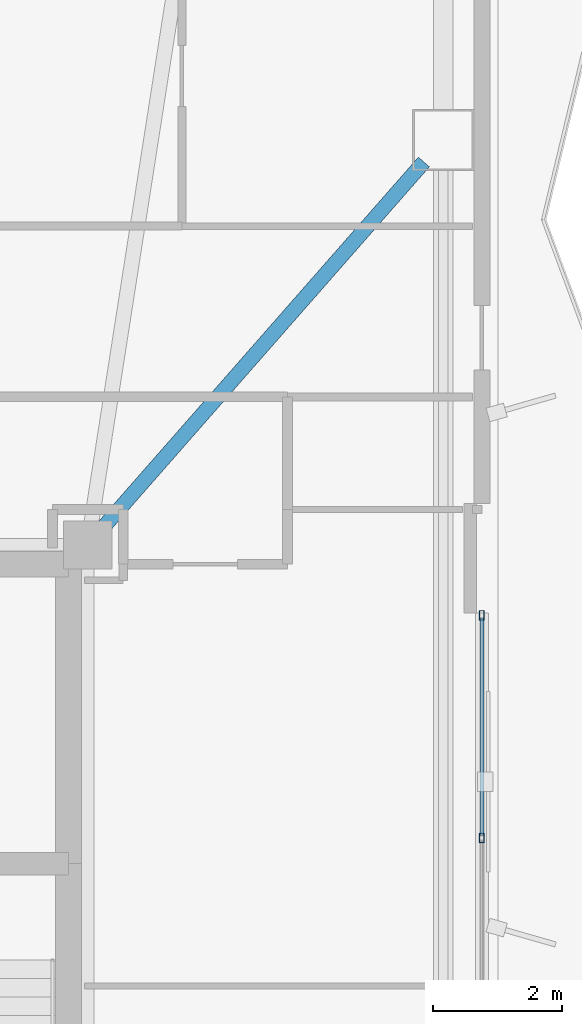
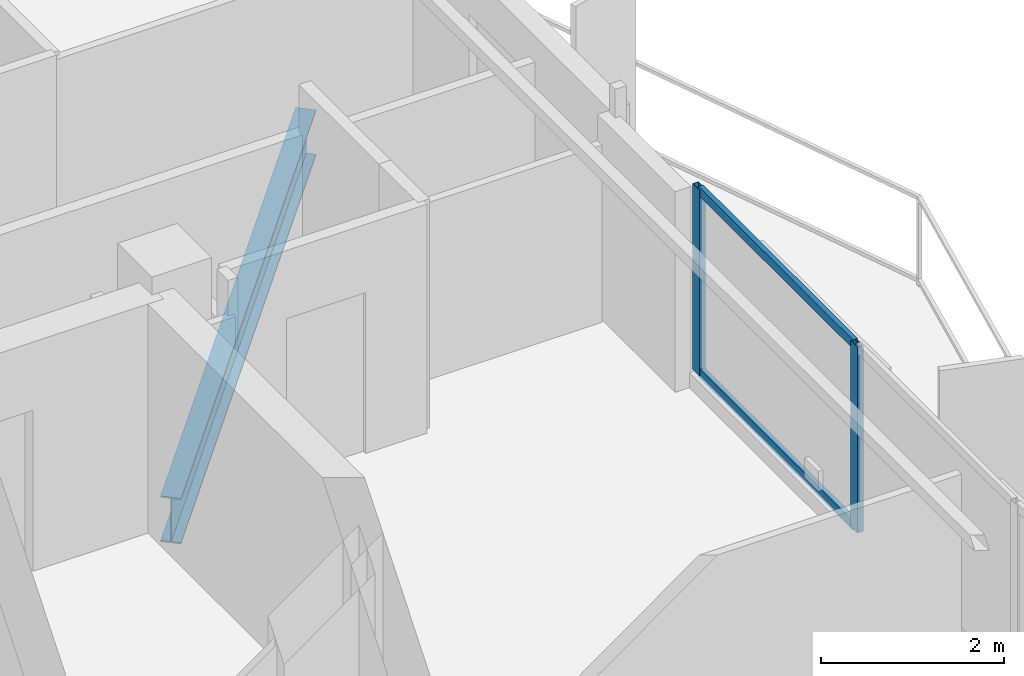
# One storey, part 9 of 19: 4 members, 1 beam, 1 element without a shape of its own.
"""IFC4 building model written with IfcOpenShell, lengths in metres."""

from ifc_helpers import new_model, si_unit, direction, frame, origin, origin_2d, place, context, subcontext, project, spatial, hollow_rectangle, i_section, extrude, material, layer, layer_set, material_profile, profile_set, type_object, element, aggregate, save


model = new_model("IFC4")

# Units and contexts
model_context = context("Model", 3, precision=1e-05, world=origin(), true_north=direction((0.0, 1.0)))
body_context = subcontext(model_context, "Body", "Model", "MODEL_VIEW")
ifc_project = project(units=[si_unit("LENGTHUNIT", "METRE"), si_unit("AREAUNIT", "SQUARE_METRE"), si_unit("VOLUMEUNIT", "CUBIC_METRE"), si_unit("PLANEANGLEUNIT", "RADIAN"), si_unit("MASSUNIT", "GRAM", prefix="KILO")], contexts=[model_context])

# Site, building, storey
site_placement = place(None, origin())
site = spatial("IfcSite", under=ifc_project, at=site_placement, CompositionType="ELEMENT")
building_placement = place(site_placement, origin())
building = spatial("IfcBuilding", under=site, at=building_placement, Name="Mersakhor Tower and Convention Hall", CompositionType="ELEMENT")
storey_placement = place(building_placement, frame((0.0, 0.0, 147.60009765625)))
storey = spatial("IfcBuildingStorey", under=building, at=storey_placement, Name="L41", CompositionType="ELEMENT", Elevation=147.60009765625)

# Beam
ifc_material_1 = material(Name="Steel S355", Category="steel")
ifc_material_profile_1 = material_profile(ifc_material_1, i_section(OverallWidth=0.22900390625, OverallDepth=0.6123046875, WebThickness=0.011962890625, FlangeThickness=0.01953125, at=origin_2d()), Name="UB 610x229x125")
ifc_profile_set_1 = profile_set([ifc_material_profile_1], Name="Steel S355")
beam_type = type_object("IfcBeamType", Name="BM-PR-610", PredefinedType="BEAM", material=ifc_profile_set_1)
beam_placement = place(storey_placement, frame((36.334228515625, 33.31689453125, -0.546142578125), z_axis=(0.65963831109, 0.751583194691, 0.0), x_axis=(-0.751583194691, 0.65963831109, 0.0)))
element("IfcBeam", 1, at=beam_placement, inside=storey, type_object=beam_type, Name="L41 Primary Floor Girder FG-3", PredefinedType="BEAM", context=body_context, shape_type="SweptSolid", body=[
    extrude(i_section(OverallWidth=0.22900390625, OverallDepth=0.6123046875, WebThickness=0.011962890625, FlangeThickness=0.01953125, at=origin_2d()), origin(), (0.0, 0.0, 1.0), 7.556884765625),
])

# Curtain wall, members
ifc_material_2 = material(Name="Dark solar low-E aluminium curtain wall", Category="aluminium")
ifc_layer = layer(ifc_material_2, 0.169921875)
ifc_layer_set = layer_set([ifc_layer], Name="Dark solar low-E aluminium curtain wall")
curtain_wall_type = type_object("IfcCurtainWallType", Name="CW-SYS-02", PredefinedType="USERDEFINED", material=ifc_layer_set)
curtain_wall_placement = place(storey_placement, origin())
curtain_wall = element("IfcCurtainWall", 2, at=curtain_wall_placement, inside=storey, type_object=curtain_wall_type, Name="L41 Dark-Glass Curtain Wall F2-B2", ObjectType="CURTAIN WALL", PredefinedType="USERDEFINED")
ifc_material_3 = material(Name="Anodised aluminium EN AW-6063 T6", Category="aluminium")
ifc_material_profile_2 = material_profile(ifc_material_3, hollow_rectangle(XDim=0.074951171875, YDim=0.14990234375, WallThickness=0.00634765625, at=origin_2d()), Name="RHS 150x75x6.3")
ifc_profile_set_2 = profile_set([ifc_material_profile_2], Name="Anodised aluminium EN AW-6063 T6")
member_type_1 = type_object("IfcMemberType", Name="CWM-150x75", PredefinedType="MULLION", material=ifc_profile_set_2)
member_1_placement = place(storey_placement, frame((42.21923828125, 31.95556640625, 0.199951171875), z_axis=(0.0, 0.0, 1.0), x_axis=(1.0, 0.0, 0.0)))
member_1 = element("IfcMember", 3, at=member_1_placement, type_object=member_type_1, Name="CW-02 mullion 1", PredefinedType="MULLION", context=body_context, shape_type="SweptSolid", body=[
    extrude(hollow_rectangle(XDim=0.074951171875, YDim=0.14990234375, WallThickness=0.00634765625, at=origin_2d()), origin(), (0.0, 0.0, 1.0), 2.47998046875),
])
member_2_placement = place(storey_placement, frame((42.21923828125, 28.49755859375, 0.199951171875), z_axis=(0.0, 0.0, 1.0), x_axis=(1.0, 0.0, 0.0)))
member_2 = element("IfcMember", 4, at=member_2_placement, type_object=member_type_1, Name="CW-02 mullion 2", PredefinedType="MULLION", context=body_context, shape_type="SweptSolid", body=[
    extrude(hollow_rectangle(XDim=0.074951171875, YDim=0.14990234375, WallThickness=0.00634765625, at=origin_2d()), origin(), (0.0, 0.0, 1.0), 2.47998046875),
])
ifc_material_4 = material(Name="Anodised aluminium EN AW-6063 T6", Category="aluminium")
ifc_material_profile_3 = material_profile(ifc_material_4, hollow_rectangle(XDim=0.06005859375, YDim=0.1201171875, WallThickness=0.0048828125, at=origin_2d()), Name="RHS 120x60x5")
ifc_profile_set_3 = profile_set([ifc_material_profile_3], Name="Anodised aluminium EN AW-6063 T6")
member_type_2 = type_object("IfcMemberType", Name="CWT-120x60", PredefinedType="USERDEFINED", material=ifc_profile_set_3)
member_3_placement = place(storey_placement, frame((42.21923828125, 31.91796875, 0.22998046875), z_axis=(0.0, -1.0, 0.0), x_axis=(1.0, 0.0, 0.0)))
member_3 = element("IfcMember", 5, at=member_3_placement, type_object=member_type_2, Name="CW-02 transom 1.1", ObjectType="TRANSOM", PredefinedType="USERDEFINED", context=body_context, shape_type="SweptSolid", body=[
    extrude(hollow_rectangle(XDim=0.06005859375, YDim=0.1201171875, WallThickness=0.0048828125, at=origin_2d()), origin(), (0.0, 0.0, 1.0), 3.3828125),
])
member_4_placement = place(storey_placement, frame((42.21923828125, 31.91796875, 2.64990234375), z_axis=(0.0, -1.0, 0.0), x_axis=(1.0, 0.0, 0.0)))
member_4 = element("IfcMember", 6, at=member_4_placement, type_object=member_type_2, Name="CW-02 transom 1.2", ObjectType="TRANSOM", PredefinedType="USERDEFINED", context=body_context, shape_type="SweptSolid", body=[
    extrude(hollow_rectangle(XDim=0.06005859375, YDim=0.1201171875, WallThickness=0.0048828125, at=origin_2d()), origin(), (0.0, 0.0, 1.0), 3.3828125),
])
aggregate(curtain_wall, [member_1, member_2, member_3, member_4])

save(model, "model.ifc")
